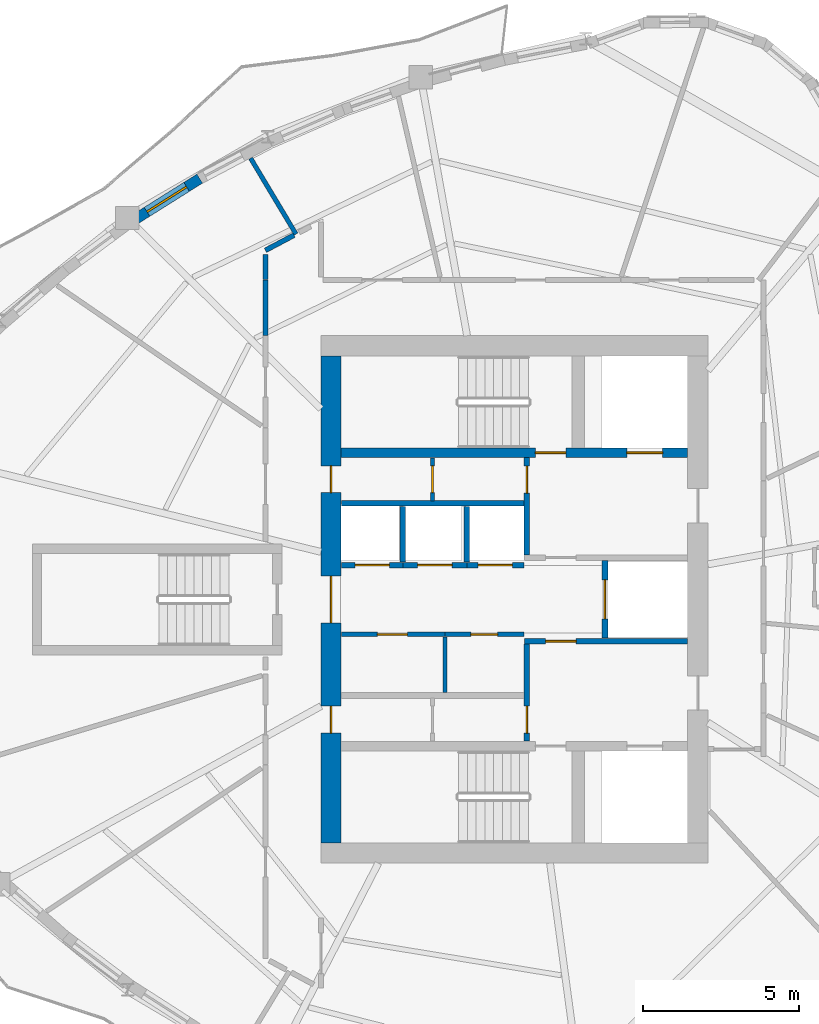
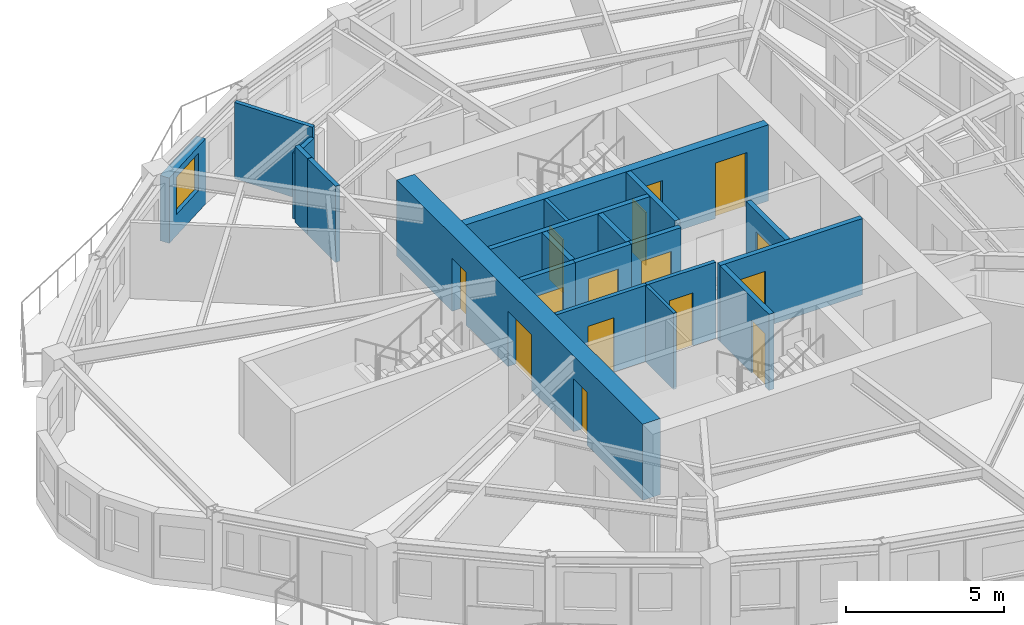
# One storey, part 5 of 12: 21 walls, 15 doors, 1 window, 16 openings.
"""IFC4 building model written with IfcOpenShell, lengths in metres."""

from ifc_helpers import new_model, si_unit, direction, frame, frame_2d, origin, place, context, subcontext, project, spatial, rectangle, extrude, source, transform, mapped, material, layer, layer_set, type_object, element, fill, save


model = new_model("IFC4")

# Units and contexts
model_context = context("Model", 3, precision=1e-05, world=origin(), true_north=direction((0.0, 1.0)))
body_context = subcontext(model_context, "Body", "Model", "MODEL_VIEW")
ifc_project = project(units=[si_unit("LENGTHUNIT", "METRE"), si_unit("AREAUNIT", "SQUARE_METRE"), si_unit("VOLUMEUNIT", "CUBIC_METRE"), si_unit("PLANEANGLEUNIT", "RADIAN"), si_unit("MASSUNIT", "GRAM", prefix="KILO")], contexts=[model_context])

# Site, building, storey
site_placement = place(None, origin())
site = spatial("IfcSite", under=ifc_project, at=site_placement, CompositionType="ELEMENT")
building_placement = place(site_placement, origin())
building = spatial("IfcBuilding", under=site, at=building_placement, Name="Qafzar Sky-Pleat Residences", CompositionType="ELEMENT")
storey_placement = place(building_placement, frame((0.0, 0.0, 142.60009765625)))
storey = spatial("IfcBuildingStorey", under=building, at=storey_placement, Name="L42", CompositionType="ELEMENT", Elevation=142.60009765625)

# Walls
ifc_material_1 = material(Name="Acoustic gypsum plasterboard partition", Category="gypsum")
ifc_layer_1 = layer(ifc_material_1, 0.159912109375)
ifc_layer_set_1 = layer_set([ifc_layer_1], Name="Acoustic gypsum plasterboard partition")
wall_type_1 = type_object("IfcWallType", Name="PART-COR-160", PredefinedType="PARTITIONING", material=ifc_layer_set_1)
wall_1_placement = place(storey_placement, frame((22.3701171875, 34.465087890625, 0.0), z_axis=(0.0, 0.0, 1.0), x_axis=(0.0, 1.0, 0.0)))
element("IfcWall", 1, at=wall_1_placement, inside=storey, type_object=wall_type_1, Name="L42 Partition Wall PART-L42-PW-033", PredefinedType="PARTITIONING", context=body_context, shape_type="SweptSolid", body=[
    extrude(rectangle(XDim=1.764892578125, YDim=0.159912109375, at=frame_2d((0.88232421875, 0.0))), origin(), (0.0, 0.0, 1.0), 2.949951171875),
])
wall_2_placement = place(storey_placement, frame((22.3701171875, 37.18701171875, 0.0), z_axis=(0.0, 0.0, 1.0), x_axis=(0.884244639112, 0.467024001741, 0.0)))
element("IfcWall", 2, at=wall_2_placement, inside=storey, type_object=wall_type_1, Name="L42 Partition Wall PART-L42-PW-037", PredefinedType="PARTITIONING", context=body_context, shape_type="SweptSolid", body=[
    extrude(rectangle(XDim=1.039306640625, YDim=0.159912109375, at=frame_2d((0.51953125, 0.0))), origin(), (0.0, 0.0, 1.0), 2.557861328125),
])
wall_3_placement = place(storey_placement, frame((22.3701171875, 36.2451171875, 0.0), z_axis=(0.0, 0.0, 1.0), x_axis=(0.0, 1.0, 0.0)))
element("IfcWall", 3, at=wall_3_placement, inside=storey, type_object=wall_type_1, Name="L42 Partition Wall PART-L42-PW-039", PredefinedType="PARTITIONING", context=body_context, shape_type="SweptSolid", body=[
    extrude(rectangle(XDim=0.80126953125, YDim=0.159912109375, at=frame_2d((0.400634765625, 0.0))), origin(), (0.0, 0.0, 1.0), 2.949951171875),
])

# Wall, opening, door
ifc_material_2 = material(Name="Concrete blockwork partition", Category="masonry")
ifc_layer_2 = layer(ifc_material_2, 0.179931640625)
ifc_layer_set_2 = layer_set([ifc_layer_2], Name="Concrete blockwork partition")
wall_type_2 = type_object("IfcWallType", Name="PART-SHAFT-180", PredefinedType="PARTITIONING", material=ifc_layer_set_2)
wall_4_placement = place(storey_placement, frame((30.75, 21.4599609375, 0.0), z_axis=(0.0, 0.0, 1.0), x_axis=(0.0, 1.0, 0.0)))
wall_4 = element("IfcWall", 4, at=wall_4_placement, inside=storey, type_object=wall_type_2, Name="L42 Partition Wall PART-L42-FFL1-W", PredefinedType="PARTITIONING", context=body_context, shape_type="SweptSolid", body=[
    extrude(rectangle(XDim=3.110107421875, YDim=0.179931640625, at=frame_2d((1.55517578125, 0.0))), origin(), (0.0, 0.0, 1.0), 2.949951171875),
])
opening_1_placement = place(wall_4_placement, frame((0.260009765625, 0.0, 0.0)))
opening_1 = element("IfcOpeningElement", 5, at=opening_1_placement, cuts=wall_4, Name="Opening ID-09", PredefinedType="OPENING", context=body_context, shape_type="SweptSolid", body=[
    extrude(rectangle(XDim=0.860107421875, YDim=2.050048828125, at=frame_2d((0.43017578125, 1.02490234375))), frame((0.0, 0.10009765625, 0.0), z_axis=(0.0, -1.0, 0.0), x_axis=(1.0, 0.0, 0.0)), (0.0, 0.0, 1.0), 0.199951171875),
])
ifc_material_3 = material(Name="Timber-faced fire door", Category="wood")
door_type_1 = type_object("IfcDoorType", Name="DR-SVC-860", OperationType="NOTDEFINED", PredefinedType="DOOR", material=ifc_material_3)
shared_shape_1 = source(origin(), body_context, "Body", "SweptSolid", [
    extrude(rectangle(XDim=0.860107421875, YDim=2.050048828125, at=frame_2d((0.43017578125, 1.02490234375))), frame((0.0, 0.02490234375, 0.0), z_axis=(0.0, -1.0, 0.0), x_axis=(1.0, 0.0, 0.0)), (0.0, 0.0, 1.0), 0.050048828125),
])
door_1_placement = place(opening_1_placement, origin())
door_1 = element("IfcDoor", 6, at=door_1_placement, inside=storey, type_object=door_type_1, Name="L42 South Core Cupboard Door", OperationType="SINGLE_SWING_LEFT", OverallHeight=2.050048828125, OverallWidth=0.860107421875, PredefinedType="DOOR", context=body_context, shape_type="MappedRepresentation", body=[
    mapped(shared_shape_1, transform((0.0, 0.0, 0.0), x_axis=(1.0, 0.0, 0.0), y_axis=(0.0, 1.0, 0.0), z_axis=(0.0, 0.0, 1.0), scale=1.0)),
])
fill(opening_1, door_1)

wall_5_placement = place(storey_placement, frame((30.669921875, 24.659912109375, 0.0), z_axis=(0.0, 0.0, 1.0), x_axis=(1.0, 0.0, 0.0)))
wall_5 = element("IfcWall", 7, at=wall_5_placement, inside=storey, type_object=wall_type_2, Name="L42 Partition Wall PART-L42-FFL1-N", PredefinedType="PARTITIONING", context=body_context, shape_type="SweptSolid", body=[
    extrude(rectangle(XDim=5.219970703125, YDim=0.179931640625, at=frame_2d((2.60986328125, 0.0))), origin(), (0.0, 0.0, 1.0), 2.949951171875),
])
opening_2_placement = place(wall_5_placement, frame((0.679931640625, 0.0, 0.0)))
opening_2 = element("IfcOpeningElement", 8, at=opening_2_placement, cuts=wall_5, Name="Opening ID-01", PredefinedType="OPENING", context=body_context, shape_type="SweptSolid", body=[
    extrude(rectangle(XDim=0.97998046875, YDim=2.14990234375, at=frame_2d((0.489990234375, 1.074951171875))), frame((0.0, 0.10009765625, 0.0), z_axis=(0.0, -1.0, 0.0), x_axis=(1.0, 0.0, 0.0)), (0.0, 0.0, 1.0), 0.199951171875),
])
door_type_2 = type_object("IfcDoorType", Name="DR-STAIR-980", OperationType="NOTDEFINED", PredefinedType="DOOR", material=ifc_material_3)
shared_shape_2 = source(origin(), body_context, "Body", "SweptSolid", [
    extrude(rectangle(XDim=0.97998046875, YDim=2.14990234375, at=frame_2d((0.489990234375, 1.074951171875))), frame((0.0, 0.02490234375, 0.0), z_axis=(0.0, -1.0, 0.0), x_axis=(1.0, 0.0, 0.0)), (0.0, 0.0, 1.0), 0.050048828125),
])
door_2_placement = place(opening_2_placement, origin())
door_2 = element("IfcDoor", 9, at=door_2_placement, inside=storey, type_object=door_type_2, Name="L42 Lift Lobby to South Firefighting Lobby Door", OperationType="SINGLE_SWING_RIGHT", OverallHeight=2.14990234375, OverallWidth=0.97998046875, PredefinedType="DOOR", context=body_context, shape_type="MappedRepresentation", body=[
    mapped(shared_shape_2, transform((0.0, 0.0, 0.0), x_axis=(1.0, 0.0, 0.0), y_axis=(0.0, 1.0, 0.0), z_axis=(0.0, 0.0, 1.0), scale=1.0)),
])
fill(opening_2, door_2)

wall_6_placement = place(storey_placement, frame((30.75, 27.429931640625, 0.0), z_axis=(0.0, 0.0, 1.0), x_axis=(0.0, 1.0, 0.0)))
wall_6 = element("IfcWall", 10, at=wall_6_placement, inside=storey, type_object=wall_type_2, Name="L42 Partition Wall PART-L42-FFL2-W", PredefinedType="PARTITIONING", context=body_context, shape_type="SweptSolid", body=[
    extrude(rectangle(XDim=3.110107421875, YDim=0.179931640625, at=frame_2d((1.55517578125, 0.0))), origin(), (0.0, 0.0, 1.0), 2.949951171875),
])
opening_3_placement = place(wall_6_placement, frame((1.97998046875, 0.0, 0.0)))
opening_3 = element("IfcOpeningElement", 11, at=opening_3_placement, cuts=wall_6, Name="Opening ID-09", PredefinedType="OPENING", context=body_context, shape_type="SweptSolid", body=[
    extrude(rectangle(XDim=0.860107421875, YDim=2.050048828125, at=frame_2d((0.43017578125, 1.02490234375))), frame((0.0, 0.10009765625, 0.0), z_axis=(0.0, -1.0, 0.0), x_axis=(1.0, 0.0, 0.0)), (0.0, 0.0, 1.0), 0.199951171875),
])
door_3_placement = place(opening_3_placement, origin())
door_3 = element("IfcDoor", 12, at=door_3_placement, inside=storey, type_object=door_type_1, Name="L42 North Core Cupboard Door", OperationType="SINGLE_SWING_LEFT", OverallHeight=2.050048828125, OverallWidth=0.860107421875, PredefinedType="DOOR", context=body_context, shape_type="MappedRepresentation", body=[
    mapped(shared_shape_1, transform((0.0, 0.0, 0.0), x_axis=(1.0, 0.0, 0.0), y_axis=(0.0, 1.0, 0.0), z_axis=(0.0, 0.0, 1.0), scale=1.0)),
])
fill(opening_3, door_3)

wall_7_placement = place(storey_placement, frame((33.25, 24.760009765625, 0.0), z_axis=(0.0, 0.0, 1.0), x_axis=(0.0, 1.0, 0.0)))
wall_7 = element("IfcWall", 13, at=wall_7_placement, inside=storey, type_object=wall_type_2, Name="L42 Partition Wall PART-L42-SV1-W", PredefinedType="PARTITIONING", context=body_context, shape_type="SweptSolid", body=[
    extrude(rectangle(XDim=2.47998046875, YDim=0.179931640625, at=frame_2d((1.239990234375, 0.0))), origin(), (0.0, 0.0, 1.0), 2.949951171875),
])
opening_4_placement = place(wall_7_placement, frame((0.614990234375, 0.0, 0.0)))
opening_4 = element("IfcOpeningElement", 14, at=opening_4_placement, cuts=wall_7, Name="Opening LD-03", PredefinedType="OPENING", context=body_context, shape_type="SweptSolid", body=[
    extrude(rectangle(XDim=1.25, YDim=2.14990234375, at=frame_2d((0.625, 1.074951171875))), frame((0.0, 0.10009765625, 0.0), z_axis=(0.0, -1.0, 0.0), x_axis=(1.0, 0.0, 0.0)), (0.0, 0.0, 1.0), 0.199951171875),
])
ifc_material_4 = material(Name="Stainless steel sliding landing door", Category="steel")
door_type_3 = type_object("IfcDoorType", Name="DR-LIFT-SV", OperationType="DOUBLE_DOOR_SLIDING", PredefinedType="DOOR", material=ifc_material_4)
shared_shape_3 = source(origin(), body_context, "Body", "SweptSolid", [
    extrude(rectangle(XDim=1.25, YDim=2.14990234375, at=frame_2d((0.625, 1.074951171875))), frame((0.0, 0.02490234375, 0.0), z_axis=(0.0, -1.0, 0.0), x_axis=(1.0, 0.0, 0.0)), (0.0, 0.0, 1.0), 0.050048828125),
])
door_4_placement = place(opening_4_placement, origin())
door_4 = element("IfcDoor", 15, at=door_4_placement, inside=storey, type_object=door_type_3, Name="L42 Service Lift SV1 Landing Door", OperationType="DOUBLE_DOOR_SLIDING", OverallHeight=2.14990234375, OverallWidth=1.25, PredefinedType="DOOR", context=body_context, shape_type="MappedRepresentation", body=[
    mapped(shared_shape_3, transform((0.0, 0.0, 0.0), x_axis=(1.0, 0.0, 0.0), y_axis=(0.0, 1.0, 0.0), z_axis=(0.0, 0.0, 1.0), scale=1.0)),
])
fill(opening_4, door_4)

# Wall
wall_8_placement = place(storey_placement, frame((24.81005859375, 29.080078125, 0.0), z_axis=(0.0, 0.0, 1.0), x_axis=(1.0, 0.0, 0.0)))
element("IfcWall", 16, at=wall_8_placement, inside=storey, type_object=wall_type_2, Name="L42 Partition Wall PART-L42-P46-N", PredefinedType="PARTITIONING", context=body_context, shape_type="SweptSolid", body=[
    extrude(rectangle(XDim=5.83984375, YDim=0.179931640625, at=frame_2d((2.919921875, 0.0))), origin(), (0.0, 0.0, 1.0), 2.949951171875),
])

# Wall, opening, door
wall_9_placement = place(storey_placement, frame((24.81005859375, 27.10009765625, 0.0), z_axis=(0.0, 0.0, 1.0), x_axis=(1.0, 0.0, 0.0)))
wall_9 = element("IfcWall", 17, at=wall_9_placement, inside=storey, type_object=wall_type_2, Name="L42 Partition Wall PART-L42-P4-S", PredefinedType="PARTITIONING", context=body_context, shape_type="SweptSolid", body=[
    extrude(rectangle(XDim=1.96484375, YDim=0.179931640625, at=frame_2d((0.982421875, 0.0))), origin(), (0.0, 0.0, 1.0), 2.949951171875),
])
opening_5_placement = place(wall_9_placement, frame((0.4326171875, 0.0, 0.0)))
opening_5 = element("IfcOpeningElement", 18, at=opening_5_placement, cuts=wall_9, Name="Opening LD-01", PredefinedType="OPENING", context=body_context, shape_type="SweptSolid", body=[
    extrude(rectangle(XDim=1.10009765625, YDim=2.14990234375, at=frame_2d((0.550048828125, 1.074951171875))), frame((0.0, 0.10009765625, 0.0), z_axis=(0.0, -1.0, 0.0), x_axis=(1.0, 0.0, 0.0)), (0.0, 0.0, 1.0), 0.199951171875),
])
door_type_4 = type_object("IfcDoorType", Name="DR-LIFT-P", OperationType="DOUBLE_DOOR_SLIDING", PredefinedType="DOOR", material=ifc_material_4)
shared_shape_4 = source(origin(), body_context, "Body", "SweptSolid", [
    extrude(rectangle(XDim=1.10009765625, YDim=2.14990234375, at=frame_2d((0.550048828125, 1.074951171875))), frame((0.0, 0.02490234375, 0.0), z_axis=(0.0, -1.0, 0.0), x_axis=(1.0, 0.0, 0.0)), (0.0, 0.0, 1.0), 0.050048828125),
])
door_5_placement = place(opening_5_placement, origin())
door_5 = element("IfcDoor", 19, at=door_5_placement, inside=storey, type_object=door_type_4, Name="L42 Passenger Lift P4 Landing Door", OperationType="DOUBLE_DOOR_SLIDING", OverallHeight=2.14990234375, OverallWidth=1.10009765625, PredefinedType="DOOR", context=body_context, shape_type="MappedRepresentation", body=[
    mapped(shared_shape_4, transform((0.0, 0.0, 0.0), x_axis=(1.0, 0.0, 0.0), y_axis=(0.0, 1.0, 0.0), z_axis=(0.0, 0.0, 1.0), scale=1.0)),
])
fill(opening_5, door_5)

wall_10_placement = place(storey_placement, frame((26.77490234375, 27.10009765625, 0.0), z_axis=(0.0, 0.0, 1.0), x_axis=(1.0, 0.0, 0.0)))
wall_10 = element("IfcWall", 20, at=wall_10_placement, inside=storey, type_object=wall_type_2, Name="L42 Partition Wall PART-L42-P5-S", PredefinedType="PARTITIONING", context=body_context, shape_type="SweptSolid", body=[
    extrude(rectangle(XDim=2.050048828125, YDim=0.179931640625, at=frame_2d((1.02490234375, 0.0))), origin(), (0.0, 0.0, 1.0), 2.949951171875),
])
opening_6_placement = place(wall_10_placement, frame((0.47509765625, 0.0, 0.0)))
opening_6 = element("IfcOpeningElement", 21, at=opening_6_placement, cuts=wall_10, Name="Opening LD-01", PredefinedType="OPENING", context=body_context, shape_type="SweptSolid", body=[
    extrude(rectangle(XDim=1.10009765625, YDim=2.14990234375, at=frame_2d((0.550048828125, 1.074951171875))), frame((0.0, 0.10009765625, 0.0), z_axis=(0.0, -1.0, 0.0), x_axis=(1.0, 0.0, 0.0)), (0.0, 0.0, 1.0), 0.199951171875),
])
door_6_placement = place(opening_6_placement, origin())
door_6 = element("IfcDoor", 22, at=door_6_placement, inside=storey, type_object=door_type_4, Name="L42 Passenger Lift P5 Landing Door", OperationType="DOUBLE_DOOR_SLIDING", OverallHeight=2.14990234375, OverallWidth=1.10009765625, PredefinedType="DOOR", context=body_context, shape_type="MappedRepresentation", body=[
    mapped(shared_shape_4, transform((0.0, 0.0, 0.0), x_axis=(1.0, 0.0, 0.0), y_axis=(0.0, 1.0, 0.0), z_axis=(0.0, 0.0, 1.0), scale=1.0)),
])
fill(opening_6, door_6)

# Wall
wall_11_placement = place(storey_placement, frame((26.77490234375, 27.199951171875, 0.0), z_axis=(0.0, 0.0, 1.0), x_axis=(0.0, 1.0, 0.0)))
element("IfcWall", 23, at=wall_11_placement, inside=storey, type_object=wall_type_2, Name="L42 Partition Wall PART-L42-P46-DIV-1", PredefinedType="PARTITIONING", context=body_context, shape_type="SweptSolid", body=[
    extrude(rectangle(XDim=1.780029296875, YDim=0.179931640625, at=frame_2d((0.89013671875, 0.0))), origin(), (0.0, 0.0, 1.0), 2.949951171875),
])

# Wall, opening, door
wall_12_placement = place(storey_placement, frame((28.824951171875, 27.10009765625, 0.0), z_axis=(0.0, 0.0, 1.0), x_axis=(1.0, 0.0, 0.0)))
wall_12 = element("IfcWall", 24, at=wall_12_placement, inside=storey, type_object=wall_type_2, Name="L42 Partition Wall PART-L42-P6-S", PredefinedType="PARTITIONING", context=body_context, shape_type="SweptSolid", body=[
    extrude(rectangle(XDim=1.824951171875, YDim=0.179931640625, at=frame_2d((0.91259765625, 0.0))), origin(), (0.0, 0.0, 1.0), 2.949951171875),
])
opening_7_placement = place(wall_12_placement, frame((0.362548828125, 0.0, 0.0)))
opening_7 = element("IfcOpeningElement", 25, at=opening_7_placement, cuts=wall_12, Name="Opening LD-01", PredefinedType="OPENING", context=body_context, shape_type="SweptSolid", body=[
    extrude(rectangle(XDim=1.10009765625, YDim=2.14990234375, at=frame_2d((0.550048828125, 1.074951171875))), frame((0.0, 0.10009765625, 0.0), z_axis=(0.0, -1.0, 0.0), x_axis=(1.0, 0.0, 0.0)), (0.0, 0.0, 1.0), 0.199951171875),
])
door_7_placement = place(opening_7_placement, origin())
door_7 = element("IfcDoor", 26, at=door_7_placement, inside=storey, type_object=door_type_4, Name="L42 Passenger Lift P6 Landing Door", OperationType="DOUBLE_DOOR_SLIDING", OverallHeight=2.14990234375, OverallWidth=1.10009765625, PredefinedType="DOOR", context=body_context, shape_type="MappedRepresentation", body=[
    mapped(shared_shape_4, transform((0.0, 0.0, 0.0), x_axis=(1.0, 0.0, 0.0), y_axis=(0.0, 1.0, 0.0), z_axis=(0.0, 0.0, 1.0), scale=1.0)),
])
fill(opening_7, door_7)

# Walls
wall_13_placement = place(storey_placement, frame((28.824951171875, 27.199951171875, 0.0), z_axis=(0.0, 0.0, 1.0), x_axis=(0.0, 1.0, 0.0)))
element("IfcWall", 27, at=wall_13_placement, inside=storey, type_object=wall_type_2, Name="L42 Partition Wall PART-L42-P46-DIV-2", PredefinedType="PARTITIONING", context=body_context, shape_type="SweptSolid", body=[
    extrude(rectangle(XDim=1.780029296875, YDim=0.179931640625, at=frame_2d((0.89013671875, 0.0))), origin(), (0.0, 0.0, 1.0), 2.949951171875),
])
ifc_material_5 = material(Name="Gypsum plasterboard partition", Category="gypsum")
ifc_layer_3 = layer(ifc_material_5, 0.114990234375)
ifc_layer_set_3 = layer_set([ifc_layer_3], Name="Gypsum plasterboard partition")
wall_type_3 = type_object("IfcWallType", Name="PART-SVC-115", PredefinedType="PARTITIONING", material=ifc_layer_set_3)
wall_14_placement = place(storey_placement, frame((28.125, 23.02001953125, 0.0), z_axis=(0.0, 0.0, 1.0), x_axis=(0.0, 1.0, 0.0)))
element("IfcWall", 28, at=wall_14_placement, inside=storey, type_object=wall_type_3, Name="L42 Partition Wall PART-L42-RECLAIM-DIV", PredefinedType="PARTITIONING", context=body_context, shape_type="SweptSolid", body=[
    extrude(rectangle(XDim=1.77001953125, YDim=0.114990234375, at=frame_2d((0.885009765625, 0.0))), origin(), (0.0, 0.0, 1.0), 2.949951171875),
])

# Wall, opening, door
wall_15_placement = place(storey_placement, frame((27.72509765625, 29.159912109375, 0.0), z_axis=(0.0, 0.0, 1.0), x_axis=(0.0, 1.0, 0.0)))
wall_15 = element("IfcWall", 29, at=wall_15_placement, inside=storey, type_object=wall_type_3, Name="L42 Partition Wall PART-L42-KB-NW", PredefinedType="PARTITIONING", context=body_context, shape_type="SweptSolid", body=[
    extrude(rectangle(XDim=1.380126953125, YDim=0.114990234375, at=frame_2d((0.68994140625, 0.0))), origin(), (0.0, 0.0, 1.0), 2.949951171875),
])
opening_8_placement = place(wall_15_placement, frame((0.260009765625, 0.0, 0.0)))
opening_8 = element("IfcOpeningElement", 30, at=opening_8_placement, cuts=wall_15, Name="Opening ID-09", PredefinedType="OPENING", context=body_context, shape_type="SweptSolid", body=[
    extrude(rectangle(XDim=0.860107421875, YDim=2.050048828125, at=frame_2d((0.43017578125, 1.02490234375))), frame((0.0, 0.0673828125, 0.0), z_axis=(0.0, -1.0, 0.0), x_axis=(1.0, 0.0, 0.0)), (0.0, 0.0, 1.0), 0.135009765625),
])
door_8_placement = place(opening_8_placement, origin())
door_8 = element("IfcDoor", 31, at=door_8_placement, inside=storey, type_object=door_type_1, Name="L42 IT Cupboard Door", OperationType="SINGLE_SWING_RIGHT", OverallHeight=2.050048828125, OverallWidth=0.860107421875, PredefinedType="DOOR", context=body_context, shape_type="MappedRepresentation", body=[
    mapped(shared_shape_1, transform((0.0, 0.0, 0.0), x_axis=(1.0, 0.0, 0.0), y_axis=(0.0, 1.0, 0.0), z_axis=(0.0, 0.0, 1.0), scale=1.0)),
])
fill(opening_8, door_8)

ifc_layer_4 = layer(ifc_material_1, 0.14501953125)
ifc_layer_set_4 = layer_set([ifc_layer_4], Name="Acoustic gypsum plasterboard partition")
wall_type_4 = type_object("IfcWallType", Name="PART-UNIT-145", PredefinedType="PARTITIONING", material=ifc_layer_set_4)
wall_16_placement = place(storey_placement, frame((24.81005859375, 24.8798828125, 0.0), z_axis=(0.0, 0.0, 1.0), x_axis=(1.0, 0.0, 0.0)))
wall_16 = element("IfcWall", 32, at=wall_16_placement, inside=storey, type_object=wall_type_4, Name="L42 Partition Wall PART-L42-RECLAIM-N1", PredefinedType="PARTITIONING", context=body_context, shape_type="SweptSolid", body=[
    extrude(rectangle(XDim=3.31005859375, YDim=0.14501953125, at=frame_2d((1.655029296875, 0.0))), origin(), (0.0, 0.0, 1.0), 2.949951171875),
])
opening_9_placement = place(wall_16_placement, frame((1.14990234375, 0.0, 0.0)))
opening_9 = element("IfcOpeningElement", 33, at=opening_9_placement, cuts=wall_16, Name="Opening ID-06", PredefinedType="OPENING", context=body_context, shape_type="SweptSolid", body=[
    extrude(rectangle(XDim=0.9599609375, YDim=2.10009765625, at=frame_2d((0.47998046875, 1.050048828125))), frame((0.0, 0.08251953125, 0.0), z_axis=(0.0, -1.0, 0.0), x_axis=(1.0, 0.0, 0.0)), (0.0, 0.0, 1.0), 0.1650390625),
])
door_type_5 = type_object("IfcDoorType", Name="DR-STD-960", OperationType="NOTDEFINED", PredefinedType="DOOR", material=ifc_material_3)
shared_shape_5 = source(origin(), body_context, "Body", "SweptSolid", [
    extrude(rectangle(XDim=0.9599609375, YDim=2.10009765625, at=frame_2d((0.47998046875, 1.050048828125))), frame((0.0, 0.02490234375, 0.0), z_axis=(0.0, -1.0, 0.0), x_axis=(1.0, 0.0, 0.0)), (0.0, 0.0, 1.0), 0.050048828125),
])
door_9_placement = place(opening_9_placement, origin())
door_9 = element("IfcDoor", 34, at=door_9_placement, inside=storey, type_object=door_type_5, Name="L42 Reclaimed Quiet Study Room Door", OperationType="SINGLE_SWING_LEFT", OverallHeight=2.10009765625, OverallWidth=0.9599609375, PredefinedType="DOOR", context=body_context, shape_type="MappedRepresentation", body=[
    mapped(shared_shape_5, transform((0.0, 0.0, 0.0), x_axis=(1.0, 0.0, 0.0), y_axis=(0.0, 1.0, 0.0), z_axis=(0.0, 0.0, 1.0), scale=1.0)),
])
fill(opening_9, door_9)

wall_17_placement = place(storey_placement, frame((28.1298828125, 24.8798828125, 0.0), z_axis=(0.0, 0.0, 1.0), x_axis=(1.0, 0.0, 0.0)))
wall_17 = element("IfcWall", 35, at=wall_17_placement, inside=storey, type_object=wall_type_4, Name="L42 Partition Wall PART-L42-RECLAIM-N2", PredefinedType="PARTITIONING", context=body_context, shape_type="SweptSolid", body=[
    extrude(rectangle(XDim=2.52001953125, YDim=0.14501953125, at=frame_2d((1.260009765625, 0.0))), origin(), (0.0, 0.0, 1.0), 2.949951171875),
])
opening_10_placement = place(wall_17_placement, frame((0.820068359375, 0.0, 0.0)))
opening_10 = element("IfcOpeningElement", 36, at=opening_10_placement, cuts=wall_17, Name="Opening ID-09", PredefinedType="OPENING", context=body_context, shape_type="SweptSolid", body=[
    extrude(rectangle(XDim=0.860107421875, YDim=2.050048828125, at=frame_2d((0.43017578125, 1.02490234375))), frame((0.0, 0.08251953125, 0.0), z_axis=(0.0, -1.0, 0.0), x_axis=(1.0, 0.0, 0.0)), (0.0, 0.0, 1.0), 0.1650390625),
])
door_10_placement = place(opening_10_placement, origin())
door_10 = element("IfcDoor", 37, at=door_10_placement, inside=storey, type_object=door_type_1, Name="L42 Reclaimed Linen Cupboard Door", OperationType="SINGLE_SWING_RIGHT", OverallHeight=2.050048828125, OverallWidth=0.860107421875, PredefinedType="DOOR", context=body_context, shape_type="MappedRepresentation", body=[
    mapped(shared_shape_1, transform((0.0, 0.0, 0.0), x_axis=(1.0, 0.0, 0.0), y_axis=(0.0, 1.0, 0.0), z_axis=(0.0, 0.0, 1.0), scale=1.0)),
])
fill(opening_10, door_10)

# Wall
wall_18_placement = place(storey_placement, frame((21.897216796875, 40.13525390625, 0.0), z_axis=(0.0, 0.0, 1.0), x_axis=(0.513392323606, -0.858154020012, 0.0)))
element("IfcWall", 38, at=wall_18_placement, inside=storey, type_object=wall_type_4, Name="L42 Partition Wall PART-L42-PW-025", PredefinedType="PARTITIONING", context=body_context, shape_type="SweptSolid", body=[
    extrude(rectangle(XDim=2.831787109375, YDim=0.14501953125, at=frame_2d((1.416015625, 0.0))), origin(), (0.0, 0.0, 1.0), 2.949951171875),
])

# Wall, opening, window
ifc_material_6 = material(Name="Precast concrete C40/50 with honed Riyadh limestone", Category="concrete")
ifc_layer_5 = layer(ifc_material_6, 0.340087890625)
ifc_layer_set_5 = layer_set([ifc_layer_5], Name="Precast concrete C40/50 with honed Riyadh limestone")
wall_type_5 = type_object("IfcWallType", Name="WALL-EXT-340", PredefinedType="SOLIDWALL", material=ifc_layer_set_5)
wall_19_placement = place(storey_placement, frame((20.266357421875, 39.48388671875, 0.0), z_axis=(0.0, 0.0, 1.0), x_axis=(-0.84647717658, -0.532425008363, 0.0)))
wall_19 = element("IfcWall", 39, at=wall_19_placement, inside=storey, type_object=wall_type_5, Name="L42 Limestone Facade Wall 44", PredefinedType="SOLIDWALL", context=body_context, shape_type="SweptSolid", body=[
    extrude(rectangle(XDim=2.4853515625, YDim=0.340087890625, at=frame_2d((1.24267578125, 0.0))), origin(), (0.0, 0.0, 1.0), 2.52978515625),
])
opening_11_placement = place(wall_19_placement, frame((0.49755859375, 0.0, 0.820068359375)))
opening_11 = element("IfcOpeningElement", 40, at=opening_11_placement, cuts=wall_19, Name="Opening WN-03", PredefinedType="OPENING", context=body_context, shape_type="SweptSolid", body=[
    extrude(rectangle(XDim=1.5, YDim=1.449951171875, at=frame_2d((0.75, 0.72509765625))), frame((0.0, 0.18017578125, 0.0), z_axis=(0.0, -1.0, 0.0), x_axis=(1.0, 0.0, 0.0)), (0.0, 0.0, 1.0), 0.360107421875),
])
ifc_material_7 = material(Name="Solar-control low-E glass in bronze aluminium frame", Category="glass")
window_type = type_object("IfcWindowType", Name="WIN-03", PartitioningType="DOUBLE_PANEL_VERTICAL", PredefinedType="WINDOW", material=ifc_material_7)
shared_shape_6 = source(origin(), body_context, "Body", "SweptSolid", [
    extrude(rectangle(XDim=1.5, YDim=1.449951171875, at=frame_2d((0.75, 0.72509765625))), frame((0.0, 0.030029296875, 0.0), z_axis=(0.0, -1.0, 0.0), x_axis=(1.0, 0.0, 0.0)), (0.0, 0.0, 1.0), 0.06005859375),
])
window_placement = place(opening_11_placement, origin())
window = element("IfcWindow", 41, at=window_placement, inside=storey, type_object=window_type, Name="L42 Punched Facade Window 44", OverallHeight=1.449951171875, OverallWidth=1.5, PartitioningType="SINGLE_PANEL", PredefinedType="WINDOW", context=body_context, shape_type="MappedRepresentation", body=[
    mapped(shared_shape_6, transform((0.0, 0.0, 0.0), x_axis=(1.0, 0.0, 0.0), y_axis=(0.0, 1.0, 0.0), z_axis=(0.0, 0.0, 1.0), scale=1.0)),
])
fill(opening_11, window)

# Wall, openings, doors
ifc_material_8 = material(Name="Concrete C60/75", Category="concrete")
ifc_layer_6 = layer(ifc_material_8, 0.300048828125)
ifc_layer_set_6 = layer_set([ifc_layer_6], Name="Concrete C60/75")
wall_type_6 = type_object("IfcWallType", Name="WALL-SHEAR-300", PredefinedType="SHEAR", material=ifc_layer_set_6)
wall_20_placement = place(storey_placement, frame((24.800048828125, 30.699951171875, 0.0), z_axis=(0.0, 0.0, 1.0), x_axis=(1.0, 0.0, 0.0)))
wall_20 = element("IfcWall", 42, at=wall_20_placement, inside=storey, type_object=wall_type_6, Name="L42 Stair ST2 and FF2 Shaft South Wall", PredefinedType="SHEAR", context=body_context, shape_type="SweptSolid", body=[
    extrude(rectangle(XDim=11.099853515625, YDim=0.300048828125, at=frame_2d((5.5498046875, 0.0))), origin(), (0.0, 0.0, 1.0), 2.949951171875),
])
opening_12_placement = place(wall_20_placement, frame((6.219970703125, 0.0, 0.0)))
opening_12 = element("IfcOpeningElement", 43, at=opening_12_placement, cuts=wall_20, Name="Opening ID-01", PredefinedType="OPENING", context=body_context, shape_type="SweptSolid", body=[
    extrude(rectangle(XDim=0.97998046875, YDim=2.14990234375, at=frame_2d((0.489990234375, 1.074951171875))), frame((0.0, 0.16015625, 0.0), z_axis=(0.0, -1.0, 0.0), x_axis=(1.0, 0.0, 0.0)), (0.0, 0.0, 1.0), 0.320068359375),
])
opening_13_placement = place(wall_20_placement, frame((9.14990234375, 0.0, 0.0)))
opening_13 = element("IfcOpeningElement", 44, at=opening_13_placement, cuts=wall_20, Name="Opening LD-02", PredefinedType="OPENING", context=body_context, shape_type="SweptSolid", body=[
    extrude(rectangle(XDim=1.14990234375, YDim=2.14990234375, at=frame_2d((0.574951171875, 1.074951171875))), frame((0.0, 0.16015625, 0.0), z_axis=(0.0, -1.0, 0.0), x_axis=(1.0, 0.0, 0.0)), (0.0, 0.0, 1.0), 0.320068359375),
])
door_11_placement = place(opening_12_placement, origin())
door_11 = element("IfcDoor", 45, at=door_11_placement, inside=storey, type_object=door_type_2, Name="L42 Stair ST2 Fire Door", OperationType="SINGLE_SWING_LEFT", OverallHeight=2.14990234375, OverallWidth=0.97998046875, PredefinedType="DOOR", context=body_context, shape_type="MappedRepresentation", body=[
    mapped(shared_shape_2, transform((0.0, 0.0, 0.0), x_axis=(1.0, 0.0, 0.0), y_axis=(0.0, 1.0, 0.0), z_axis=(0.0, 0.0, 1.0), scale=1.0)),
])
fill(opening_12, door_11)
door_type_6 = type_object("IfcDoorType", Name="DR-LIFT-FF", OperationType="DOUBLE_DOOR_SLIDING", PredefinedType="DOOR", material=ifc_material_4)
shared_shape_7 = source(origin(), body_context, "Body", "SweptSolid", [
    extrude(rectangle(XDim=1.14990234375, YDim=2.14990234375, at=frame_2d((0.574951171875, 1.074951171875))), frame((0.0, 0.02490234375, 0.0), z_axis=(0.0, -1.0, 0.0), x_axis=(1.0, 0.0, 0.0)), (0.0, 0.0, 1.0), 0.050048828125),
])
door_12_placement = place(opening_13_placement, origin())
door_12 = element("IfcDoor", 46, at=door_12_placement, inside=storey, type_object=door_type_6, Name="L42 Firefighting Lift FF2 Landing Door", OperationType="DOUBLE_DOOR_SLIDING", OverallHeight=2.14990234375, OverallWidth=1.14990234375, PredefinedType="DOOR", context=body_context, shape_type="MappedRepresentation", body=[
    mapped(shared_shape_7, transform((0.0, 0.0, 0.0), x_axis=(1.0, 0.0, 0.0), y_axis=(0.0, 1.0, 0.0), z_axis=(0.0, 0.0, 1.0), scale=1.0)),
])
fill(opening_13, door_12)

ifc_layer_7 = layer(ifc_material_8, 0.64990234375)
ifc_layer_set_7 = layer_set([ifc_layer_7], Name="Concrete C60/75")
wall_type_7 = type_object("IfcWallType", Name="WALL-SHEAR-650", PredefinedType="SHEAR", material=ifc_layer_set_7)
wall_21_placement = place(storey_placement, frame((24.47509765625, 33.800048828125, 0.0), z_axis=(0.0, 0.0, 1.0), x_axis=(0.0, -1.0, 0.0)))
wall_21 = element("IfcWall", 47, at=wall_21_placement, inside=storey, type_object=wall_type_7, Name="L42 CORE wall W", PredefinedType="SHEAR", context=body_context, shape_type="SweptSolid", body=[
    extrude(rectangle(XDim=15.60009765625, YDim=0.64990234375, at=frame_2d((7.800048828125, 0.0))), origin(), (0.0, 0.0, 1.0), 2.949951171875),
])
opening_14_placement = place(wall_21_placement, frame((7.050048828125, 0.0, 0.0)))
opening_14 = element("IfcOpeningElement", 48, at=opening_14_placement, cuts=wall_21, Name="Opening ID-03", PredefinedType="OPENING", context=body_context, shape_type="SweptSolid", body=[
    extrude(rectangle(XDim=1.5, YDim=2.14990234375, at=frame_2d((0.75, 1.074951171875))), frame((0.0, 0.3349609375, 0.0), z_axis=(0.0, -1.0, 0.0), x_axis=(1.0, 0.0, 0.0)), (0.0, 0.0, 1.0), 0.669921875),
])
opening_15_placement = place(wall_21_placement, frame((3.52001953125, 0.0, 0.0)))
opening_15 = element("IfcOpeningElement", 49, at=opening_15_placement, cuts=wall_21, Name="Opening ID-09", PredefinedType="OPENING", context=body_context, shape_type="SweptSolid", body=[
    extrude(rectangle(XDim=0.860107421875, YDim=2.050048828125, at=frame_2d((0.43017578125, 1.02490234375))), frame((0.0, 0.3349609375, 0.0), z_axis=(0.0, -1.0, 0.0), x_axis=(1.0, 0.0, 0.0)), (0.0, 0.0, 1.0), 0.669921875),
])
opening_16_placement = place(wall_21_placement, frame((11.219970703125, 0.0, 0.0)))
opening_16 = element("IfcOpeningElement", 50, at=opening_16_placement, cuts=wall_21, Name="Opening ID-09", PredefinedType="OPENING", context=body_context, shape_type="SweptSolid", body=[
    extrude(rectangle(XDim=0.860107421875, YDim=2.050048828125, at=frame_2d((0.43017578125, 1.02490234375))), frame((0.0, 0.3349609375, 0.0), z_axis=(0.0, -1.0, 0.0), x_axis=(1.0, 0.0, 0.0)), (0.0, 0.0, 1.0), 0.669921875),
])
door_type_7 = type_object("IfcDoorType", Name="DR-COR-1500", OperationType="DOUBLE_DOOR_SINGLE_SWING", PredefinedType="DOOR", material=ifc_material_3)
shared_shape_8 = source(origin(), body_context, "Body", "SweptSolid", [
    extrude(rectangle(XDim=1.5, YDim=2.14990234375, at=frame_2d((0.75, 1.074951171875))), frame((0.0, 0.02490234375, 0.0), z_axis=(0.0, -1.0, 0.0), x_axis=(1.0, 0.0, 0.0)), (0.0, 0.0, 1.0), 0.050048828125),
])
door_13_placement = place(opening_14_placement, origin())
door_13 = element("IfcDoor", 51, at=door_13_placement, inside=storey, type_object=door_type_7, Name="L42 Lift Lobby West Double Door", OperationType="DOUBLE_DOOR_SINGLE_SWING", OverallHeight=2.14990234375, OverallWidth=1.5, PredefinedType="DOOR", context=body_context, shape_type="MappedRepresentation", body=[
    mapped(shared_shape_8, transform((0.0, 0.0, 0.0), x_axis=(1.0, 0.0, 0.0), y_axis=(0.0, 1.0, 0.0), z_axis=(0.0, 0.0, 1.0), scale=1.0)),
])
fill(opening_14, door_13)
door_14_placement = place(opening_15_placement, origin())
door_14 = element("IfcDoor", 52, at=door_14_placement, inside=storey, type_object=door_type_1, Name="L42 Core North-West Service Door", OperationType="SINGLE_SWING_LEFT", OverallHeight=2.050048828125, OverallWidth=0.860107421875, PredefinedType="DOOR", context=body_context, shape_type="MappedRepresentation", body=[
    mapped(shared_shape_1, transform((0.0, 0.0, 0.0), x_axis=(1.0, 0.0, 0.0), y_axis=(0.0, 1.0, 0.0), z_axis=(0.0, 0.0, 1.0), scale=1.0)),
])
fill(opening_15, door_14)
door_15_placement = place(opening_16_placement, origin())
door_15 = element("IfcDoor", 53, at=door_15_placement, inside=storey, type_object=door_type_1, Name="L42 Core South-West Service Door", OperationType="SINGLE_SWING_RIGHT", OverallHeight=2.050048828125, OverallWidth=0.860107421875, PredefinedType="DOOR", context=body_context, shape_type="MappedRepresentation", body=[
    mapped(shared_shape_1, transform((0.0, 0.0, 0.0), x_axis=(1.0, 0.0, 0.0), y_axis=(0.0, 1.0, 0.0), z_axis=(0.0, 0.0, 1.0), scale=1.0)),
])
fill(opening_16, door_15)

save(model, "model.ifc")
